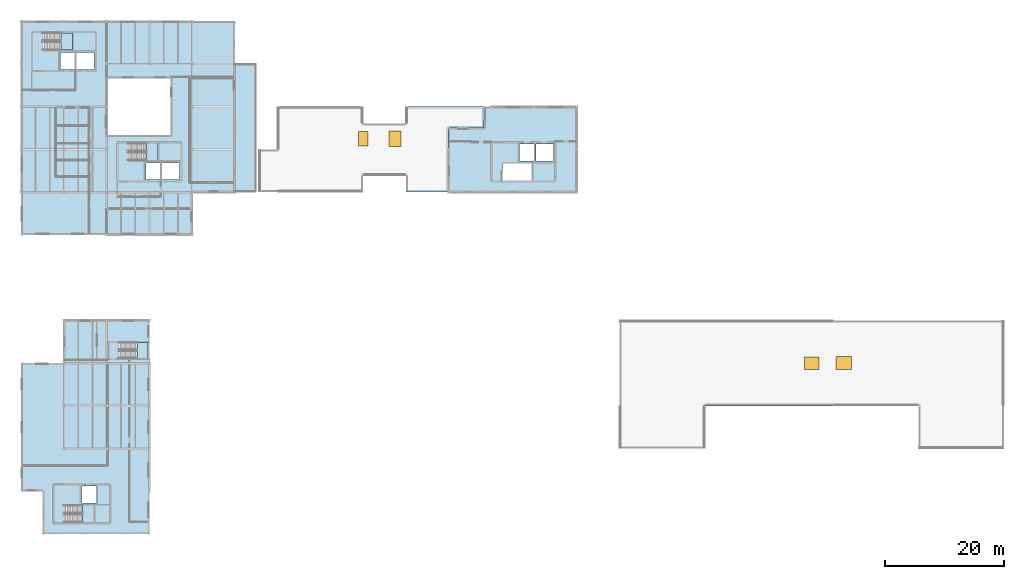
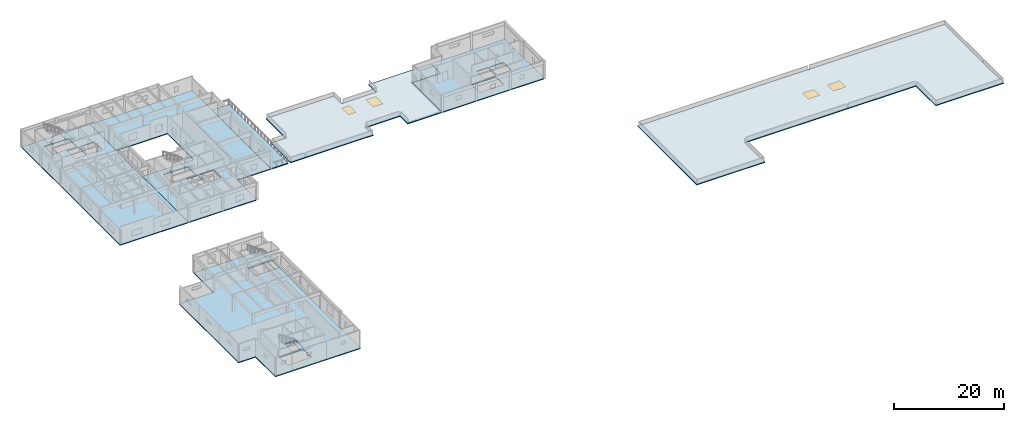
# One storey, part 2 of 15: 11 slabs, 4 windows, 4 openings, 4 elements without a shape of their own.
"""IFC4 building model written with IfcOpenShell, lengths in metres."""

from ifc_helpers import new_model, si_unit, direction, frame, origin, origin_2d, place, context, subcontext, project, spatial, polyline, rectangle, outline, extrude, material, layer, layer_set, type_object, element, fill, aggregate, save


model = new_model("IFC4")

# Units and contexts
model_context = context("Model", 3, precision=1e-05, world=origin(), true_north=direction((0.0, 1.0)))
body_context = subcontext(model_context, "Body", "Model", "MODEL_VIEW")
ifc_project = project(units=[si_unit("LENGTHUNIT", "METRE"), si_unit("AREAUNIT", "SQUARE_METRE"), si_unit("VOLUMEUNIT", "CUBIC_METRE"), si_unit("PLANEANGLEUNIT", "RADIAN"), si_unit("MASSUNIT", "GRAM", prefix="KILO")], contexts=[model_context])

# Site, building, storey
site_placement = place(None, origin())
site = spatial("IfcSite", under=ifc_project, at=site_placement, CompositionType="ELEMENT")
building_placement = place(site_placement, origin())
building = spatial("IfcBuilding", under=site, at=building_placement, Name="Bramvelor Terrace Health Centre", CompositionType="ELEMENT")
storey_placement = place(building_placement, frame((0.0, 0.0, 13.5)))
storey = spatial("IfcBuildingStorey", under=building, at=storey_placement, Name="L04", CompositionType="ELEMENT", Elevation=13.5)

# Slabs
ifc_material_1 = material(Name="Cross-laminated timber C24", Category="wood")
ifc_layer_1 = layer(ifc_material_1, 0.219970703125)
ifc_layer_set_1 = layer_set([ifc_layer_1], Name="Cross-laminated timber C24")
slab_type_1 = type_object("IfcSlabType", Name="SLB-EXT-CLT-220", PredefinedType="FLOOR", material=ifc_layer_set_1)
slab_1_placement = place(storey_placement, frame((0.0, 0.0, -0.219970703125)))
element("IfcSlab", 1, at=slab_1_placement, inside=storey, type_object=slab_type_1, Name="L04 V4 Step2 Exterior Slab", PredefinedType="FLOOR", context=body_context, shape_type="SweptSolid", body=[
    extrude(outline(polyline([(39.60009765625, 108.0), (39.60009765625, 86.39990234375), (36.0048828125, 86.39990234375), (36.0048828125, 108.0), (39.60009765625, 108.0)])), origin(), (0.0, 0.0, 1.0), 0.219970703125),
])
ifc_material_2 = material(Name="Cross-laminated timber C24", Category="wood")
ifc_layer_2 = layer(ifc_material_2, 0.2099609375)
ifc_layer_set_2 = layer_set([ifc_layer_2], Name="Cross-laminated timber C24")
slab_type_2 = type_object("IfcSlabType", Name="SLB-FLR-CLT210", PredefinedType="FLOOR", material=ifc_layer_set_2)
slab_2_placement = place(storey_placement, frame((0.0, 0.0, -0.2099609375)))
element("IfcSlab", 2, at=slab_2_placement, inside=storey, type_object=slab_type_2, Name="L04 V4_E Floor Slab", PredefinedType="FLOOR", context=body_context, shape_type="SweptSolid", body=[
    extrude(outline(polyline([(28.800048828125, 79.199951171875), (14.39990234375, 79.199951171875), (14.39990234375, 96.0), (25.199951171875, 96.0), (25.199951171875, 105.60009765625), (14.39990234375, 105.60009765625), (14.39990234375, 115.199951171875), (36.0, 115.199951171875), (36.0, 86.39990234375), (28.800048828125, 86.39990234375), (28.800048828125, 79.199951171875)]), holes=[polyline([(18.080078125, 91.75), (23.14990234375, 91.75), (23.14990234375, 94.64990234375), (18.080078125, 94.64990234375), (18.080078125, 91.75)]), polyline([(21.0, 91.35009765625), (21.0, 88.5), (23.39990234375, 88.5), (23.39990234375, 91.35009765625), (21.0, 91.35009765625)]), polyline([(26.699951171875, 91.35009765625), (23.699951171875, 91.35009765625), (23.699951171875, 88.5), (26.699951171875, 88.5), (26.699951171875, 91.35009765625)])]), origin(), (0.0, 0.0, 1.0), 0.2099609375),
])
slab_3_placement = place(storey_placement, frame((0.0, 0.0, -0.2099609375)))
element("IfcSlab", 3, at=slab_3_placement, inside=storey, type_object=slab_type_2, Name="L04 V4_W Floor Slab", PredefinedType="FLOOR", context=body_context, shape_type="SweptSolid", body=[
    extrude(outline(polyline([(14.39990234375, 79.199951171875), (0.0, 79.199951171875), (0.0, 115.199951171875), (14.39990234375, 115.199951171875), (14.39990234375, 105.60009765625), (14.39990234375, 96.0), (14.39990234375, 79.199951171875)]), holes=[polyline([(3.679931640625, 110.35009765625), (8.75, 110.35009765625), (8.75, 113.25), (3.679931640625, 113.25), (3.679931640625, 110.35009765625)]), polyline([(6.60009765625, 109.949951171875), (6.60009765625, 107.10009765625), (9.0, 107.10009765625), (9.0, 109.949951171875), (6.60009765625, 109.949951171875)]), polyline([(12.300048828125, 109.949951171875), (9.300048828125, 109.949951171875), (9.300048828125, 107.10009765625), (12.300048828125, 107.10009765625), (12.300048828125, 109.949951171875)])]), origin(), (0.0, 0.0, 1.0), 0.2099609375),
])
slab_4_placement = place(storey_placement, frame((0.0, 0.0, -0.2099609375)))
element("IfcSlab", 4, at=slab_4_placement, inside=storey, type_object=slab_type_2, Name="L04 V5 Floor Slab", PredefinedType="FLOOR", context=body_context, shape_type="SweptSolid", body=[
    extrude(outline(polyline([(72.0, 97.199951171875), (78.0, 97.199951171875), (78.0, 100.800048828125), (93.60009765625, 100.800048828125), (93.60009765625, 86.39990234375), (72.0, 86.39990234375), (72.0, 97.199951171875)]), holes=[polyline([(81.080078125, 88.35009765625), (86.14990234375, 88.35009765625), (86.14990234375, 91.25), (81.080078125, 91.25), (81.080078125, 88.35009765625)]), polyline([(84.0, 94.5), (84.0, 91.64990234375), (86.39990234375, 91.64990234375), (86.39990234375, 94.5), (84.0, 94.5)]), polyline([(89.699951171875, 94.5), (86.699951171875, 94.5), (86.699951171875, 91.64990234375), (89.699951171875, 91.64990234375), (89.699951171875, 94.5)])]), origin(), (0.0, 0.0, 1.0), 0.2099609375),
])
slab_5_placement = place(storey_placement, frame((0.0, 0.0, -0.2099609375)))
element("IfcSlab", 5, at=slab_5_placement, inside=storey, type_object=slab_type_2, Name="L04 V6 Floor Slab", PredefinedType="FLOOR", context=body_context, shape_type="SweptSolid", body=[
    extrude(outline(polyline([(0.0, 36.0), (0.0, 57.60009765625), (7.199951171875, 57.60009765625), (7.199951171875, 64.800048828125), (21.60009765625, 64.800048828125), (21.60009765625, 28.800048828125), (3.60009765625, 28.800048828125), (3.60009765625, 36.0), (0.0, 36.0)]), holes=[polyline([(7.280029296875, 30.75), (12.35009765625, 30.75), (12.35009765625, 33.64990234375), (7.280029296875, 33.64990234375), (7.280029296875, 30.75)]), polyline([(10.199951171875, 36.89990234375), (10.199951171875, 34.050048828125), (12.60009765625, 34.050048828125), (12.60009765625, 36.89990234375), (10.199951171875, 36.89990234375)]), polyline([(21.550048828125, 61.10009765625), (16.47998046875, 61.10009765625), (16.47998046875, 58.39990234375), (21.550048828125, 58.39990234375), (21.550048828125, 61.10009765625)])]), origin(), (0.0, 0.0, 1.0), 0.2099609375),
])

# Stair, slab
ifc_material_3 = material(Name="Concrete C40/50", Category="concrete")
stair_type_1 = type_object("IfcStairType", Name="STR-CORE", PredefinedType="HALF_TURN_STAIR", material=ifc_material_3)
stair_1_placement = place(storey_placement, origin())
stair_1 = element("IfcStair", 6, at=stair_1_placement, inside=storey, type_object=stair_type_1, Name="L04 C1 Primary Fire Stair", PredefinedType="HALF_TURN_STAIR")
ifc_material_4 = material(Name="Concrete C40/50", Category="concrete")
ifc_layer_3 = layer(ifc_material_4, 0.199951171875)
ifc_layer_set_3 = layer_set([ifc_layer_3], Name="Concrete C40/50")
slab_type_3 = type_object("IfcSlabType", Name="SLB-LND-200", PredefinedType="LANDING", material=ifc_layer_set_3)
slab_6_placement = place(storey_placement, frame((0.0, 0.0, 1.89990234375)))
slab_6 = element("IfcSlab", 7, at=slab_6_placement, type_object=slab_type_3, Name="ST-1 landing 1", PredefinedType="LANDING", context=body_context, shape_type="SweptSolid", body=[
    extrude(outline(polyline([(6.735107421875, 110.35009765625), (8.655029296875, 110.35009765625), (8.655029296875, 113.25), (6.735107421875, 113.25), (6.735107421875, 110.35009765625)])), origin(), (0.0, 0.0, 1.0), 0.2001953125),
])
aggregate(stair_1, [slab_6])

stair_2_placement = place(storey_placement, origin())
stair_2 = element("IfcStair", 8, at=stair_2_placement, inside=storey, type_object=stair_type_1, Name="L04 C2 Primary Fire Stair", PredefinedType="HALF_TURN_STAIR")
slab_7_placement = place(storey_placement, frame((0.0, 0.0, 1.89990234375)))
slab_7 = element("IfcSlab", 9, at=slab_7_placement, type_object=slab_type_3, Name="ST-2 landing 1", PredefinedType="LANDING", context=body_context, shape_type="SweptSolid", body=[
    extrude(outline(polyline([(21.135009765625, 91.75), (23.054931640625, 91.75), (23.054931640625, 94.64990234375), (21.135009765625, 94.64990234375), (21.135009765625, 91.75)])), origin(), (0.0, 0.0, 1.0), 0.2001953125),
])
aggregate(stair_2, [slab_7])

stair_3_placement = place(storey_placement, origin())
stair_3 = element("IfcStair", 10, at=stair_3_placement, inside=storey, type_object=stair_type_1, Name="L04 C3 Primary Fire Stair", PredefinedType="HALF_TURN_STAIR")
slab_8_placement = place(storey_placement, frame((0.0, 0.0, 1.89990234375)))
slab_8 = element("IfcSlab", 11, at=slab_8_placement, type_object=slab_type_3, Name="ST-3 landing 1", PredefinedType="LANDING", context=body_context, shape_type="SweptSolid", body=[
    extrude(outline(polyline([(10.3349609375, 30.75), (12.2548828125, 30.75), (12.2548828125, 33.64990234375), (10.3349609375, 33.64990234375), (10.3349609375, 30.75)])), origin(), (0.0, 0.0, 1.0), 0.2001953125),
])
aggregate(stair_3, [slab_8])

ifc_material_5 = material(Name="Concrete C40/50", Category="concrete")
stair_type_2 = type_object("IfcStairType", Name="STR-SEC", PredefinedType="HALF_TURN_STAIR", material=ifc_material_5)
stair_4_placement = place(storey_placement, origin())
stair_4 = element("IfcStair", 12, at=stair_4_placement, inside=storey, type_object=stair_type_2, Name="L04 North Pharmacy & Mental Health Exit Stair", PredefinedType="HALF_TURN_STAIR")
slab_9_placement = place(storey_placement, frame((0.0, 0.0, 1.89990234375)))
slab_9 = element("IfcSlab", 13, at=slab_9_placement, type_object=slab_type_3, Name="ST-6 landing 1", PredefinedType="LANDING", context=body_context, shape_type="SweptSolid", body=[
    extrude(outline(polyline([(19.554931640625, 58.39990234375), (21.375, 58.39990234375), (21.375, 61.10009765625), (19.554931640625, 61.10009765625), (19.554931640625, 58.39990234375)])), origin(), (0.0, 0.0, 1.0), 0.2001953125),
])
aggregate(stair_4, [slab_9])

# Slab, openings, windows
ifc_material_6 = material(Name="Cross-laminated timber C24", Category="wood")
ifc_layer_4 = layer(ifc_material_6, 0.2099609375)
ifc_layer_set_4 = layer_set([ifc_layer_4], Name="Cross-laminated timber C24")
slab_type_4 = type_object("IfcSlabType", Name="SLB-RF-CLT210", PredefinedType="ROOF", material=ifc_layer_set_4)
slab_10_placement = place(storey_placement, frame((0.0, 0.0, -0.2099609375)))
slab_10 = element("IfcSlab", 14, at=slab_10_placement, inside=storey, type_object=slab_type_4, Name="L04 Insulated Maintenance Roof 2", PredefinedType="ROOF", context=body_context, shape_type="SweptSolid", body=[
    extrude(outline(polyline([(151.199951171875, 50.39990234375), (136.800048828125, 50.39990234375), (115.199951171875, 50.39990234375), (115.199951171875, 43.199951171875), (100.800048828125, 43.199951171875), (100.800048828125, 50.39990234375), (100.800048828125, 64.800048828125), (136.800048828125, 64.800048828125), (165.60009765625, 64.800048828125), (165.60009765625, 50.39990234375), (165.60009765625, 43.199951171875), (151.199951171875, 43.199951171875), (151.199951171875, 50.39990234375)])), origin(), (0.0, 0.0, 1.0), 0.2099609375),
])
opening_1_placement = place(slab_10_placement, frame((133.199951171875, 57.60009765625, 0.0)))
opening_1 = element("IfcOpeningElement", 15, at=opening_1_placement, cuts=slab_10, Name="Opening SK-3", PredefinedType="OPENING", context=body_context, shape_type="SweptSolid", body=[
    extrude(rectangle(XDim=2.39990234375, YDim=2.10009765625, at=origin_2d()), origin(), (0.0, 0.0, 1.0), 0.2099609375),
])
opening_2_placement = place(slab_10_placement, frame((138.60009765625, 57.60009765625, 0.0)))
opening_2 = element("IfcOpeningElement", 16, at=opening_2_placement, cuts=slab_10, Name="Opening SK-4", PredefinedType="OPENING", context=body_context, shape_type="SweptSolid", body=[
    extrude(rectangle(XDim=2.60009765625, YDim=2.199951171875, at=origin_2d()), origin(), (0.0, 0.0, 1.0), 0.2099609375),
])
ifc_material_7 = material(Name="Double low-E laminated glass", Category="glass")
window_type_1 = type_object("IfcWindowType", Name="SKL-MON-3", PartitioningType="SINGLE_PANEL", PredefinedType="SKYLIGHT", material=ifc_material_7)
window_1_placement = place(opening_1_placement, frame((0.0, 0.0, 0.159912109375)))
window_1 = element("IfcWindow", 17, at=window_1_placement, inside=storey, type_object=window_type_1, Name="L04 Clinical Daylight Monitor Skylight 3", OverallHeight=2.10009765625, OverallWidth=2.39990234375, PartitioningType="SINGLE_PANEL", PredefinedType="SKYLIGHT", context=body_context, shape_type="SweptSolid", body=[
    extrude(rectangle(XDim=2.39990234375, YDim=2.10009765625, at=origin_2d()), origin(), (0.0, 0.0, 1.0), 0.050048828125),
])
fill(opening_1, window_1)
ifc_material_8 = material(Name="Double low-E laminated glass", Category="glass")
window_type_2 = type_object("IfcWindowType", Name="SKL-MON-4", PartitioningType="SINGLE_PANEL", PredefinedType="SKYLIGHT", material=ifc_material_8)
window_2_placement = place(opening_2_placement, frame((0.0, 0.0, 0.159912109375)))
window_2 = element("IfcWindow", 18, at=window_2_placement, inside=storey, type_object=window_type_2, Name="L04 Clinical Daylight Monitor Skylight 4", OverallHeight=2.199951171875, OverallWidth=2.60009765625, PartitioningType="SINGLE_PANEL", PredefinedType="SKYLIGHT", context=body_context, shape_type="SweptSolid", body=[
    extrude(rectangle(XDim=2.60009765625, YDim=2.199951171875, at=origin_2d()), origin(), (0.0, 0.0, 1.0), 0.050048828125),
])
fill(opening_2, window_2)

slab_11_placement = place(storey_placement, frame((0.0, 0.0, -0.2099609375)))
slab_11 = element("IfcSlab", 19, at=slab_11_placement, inside=storey, type_object=slab_type_4, Name="L04 Insulated Maintenance Roof 3", PredefinedType="ROOF", context=body_context, shape_type="SweptSolid", body=[
    extrude(outline(polyline([(64.800048828125, 98.0), (64.800048828125, 100.800048828125), (77.989990234375, 100.800048828125), (77.989990234375, 97.2099609375), (72.0, 97.2099609375), (71.9990234375, 97.2099609375), (71.998046875, 97.209716796875), (71.9970703125, 97.209716796875), (71.99609375, 97.209228515625), (71.995361328125, 97.208740234375), (71.994384765625, 97.208251953125), (71.99365234375, 97.207763671875), (71.992919921875, 97.20703125), (71.9921875, 97.206298828125), (71.99169921875, 97.20556640625), (71.9912109375, 97.20458984375), (71.99072265625, 97.203857421875), (71.990478515625, 97.202880859375), (71.990234375, 97.201904296875), (71.989990234375, 97.200927734375), (71.989990234375, 97.199951171875), (71.989990234375, 86.39990234375), (64.800048828125, 86.39990234375), (64.800048828125, 89.199951171875), (57.60009765625, 89.199951171875), (57.60009765625, 86.39990234375), (43.199951171875, 86.39990234375), (40.050048828125, 86.39990234375), (40.050048828125, 93.60009765625), (43.199951171875, 93.60009765625), (43.199951171875, 100.800048828125), (57.60009765625, 100.800048828125), (57.60009765625, 98.0), (64.800048828125, 98.0)])), origin(), (0.0, 0.0, 1.0), 0.2099609375),
])
opening_3_placement = place(slab_11_placement, frame((57.594970703125, 95.39990234375, 0.0)))
opening_3 = element("IfcOpeningElement", 20, at=opening_3_placement, cuts=slab_11, Name="Opening SK-5", PredefinedType="OPENING", context=body_context, shape_type="SweptSolid", body=[
    extrude(rectangle(XDim=1.60009765625, YDim=2.39990234375, at=origin_2d()), origin(), (0.0, 0.0, 1.0), 0.2099609375),
])
opening_4_placement = place(slab_11_placement, frame((62.9951171875, 95.39990234375, 0.0)))
opening_4 = element("IfcOpeningElement", 21, at=opening_4_placement, cuts=slab_11, Name="Opening SK-6", PredefinedType="OPENING", context=body_context, shape_type="SweptSolid", body=[
    extrude(rectangle(XDim=2.0, YDim=2.60009765625, at=origin_2d()), origin(), (0.0, 0.0, 1.0), 0.2099609375),
])
ifc_material_9 = material(Name="Double low-E laminated glass", Category="glass")
window_type_3 = type_object("IfcWindowType", Name="SKL-MON-5", PartitioningType="SINGLE_PANEL", PredefinedType="SKYLIGHT", material=ifc_material_9)
window_3_placement = place(opening_3_placement, frame((0.0, 0.0, 0.159912109375)))
window_3 = element("IfcWindow", 22, at=window_3_placement, inside=storey, type_object=window_type_3, Name="L04 Clinical Daylight Monitor Skylight 5", OverallHeight=2.39990234375, OverallWidth=1.60009765625, PartitioningType="SINGLE_PANEL", PredefinedType="SKYLIGHT", context=body_context, shape_type="SweptSolid", body=[
    extrude(rectangle(XDim=1.60009765625, YDim=2.39990234375, at=origin_2d()), origin(), (0.0, 0.0, 1.0), 0.050048828125),
])
fill(opening_3, window_3)
ifc_material_10 = material(Name="Double low-E laminated glass", Category="glass")
window_type_4 = type_object("IfcWindowType", Name="SKL-MON-6", PartitioningType="SINGLE_PANEL", PredefinedType="SKYLIGHT", material=ifc_material_10)
window_4_placement = place(opening_4_placement, frame((0.0, 0.0, 0.159912109375)))
window_4 = element("IfcWindow", 23, at=window_4_placement, inside=storey, type_object=window_type_4, Name="L04 Clinical Daylight Monitor Skylight 6", OverallHeight=2.60009765625, OverallWidth=2.0, PartitioningType="SINGLE_PANEL", PredefinedType="SKYLIGHT", context=body_context, shape_type="SweptSolid", body=[
    extrude(rectangle(XDim=2.0, YDim=2.60009765625, at=origin_2d()), origin(), (0.0, 0.0, 1.0), 0.050048828125),
])
fill(opening_4, window_4)

save(model, "model.ifc")
